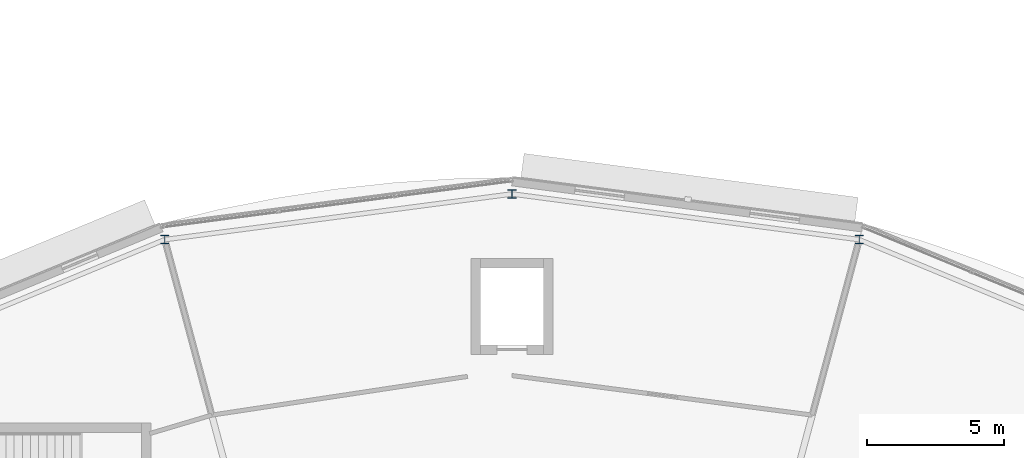
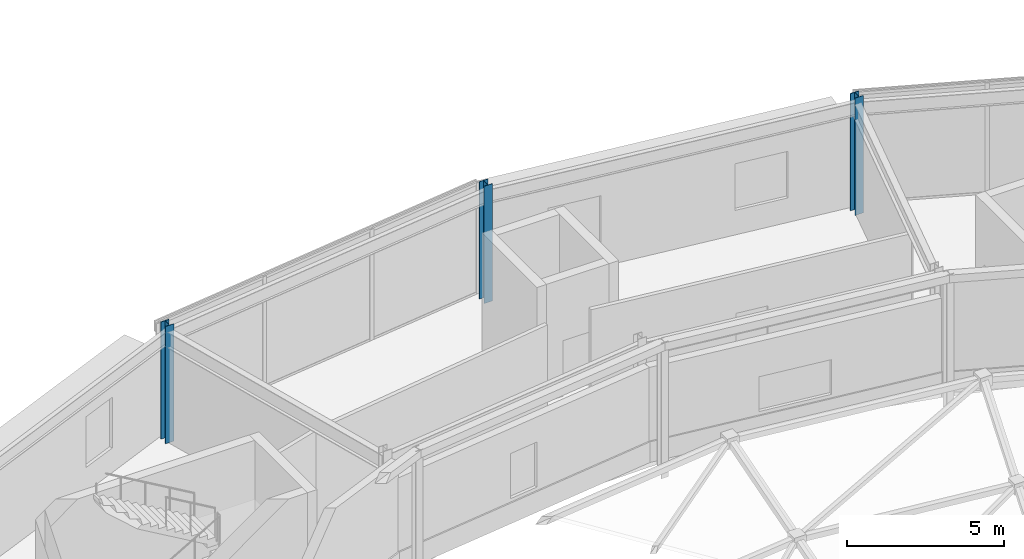
# One storey, part 10 of 89: 3 columns.
"""IFC4 building model written with IfcOpenShell, lengths in metres."""

from ifc_helpers import new_model, si_unit, direction, frame, origin, origin_2d, place, context, subcontext, project, spatial, i_section, extrude, material, material_profile, profile_set, type_object, element, save


model = new_model("IFC4")

# Units and contexts
model_context = context("Model", 3, precision=1e-05, world=origin(), true_north=direction((0.0, 1.0)))
body_context = subcontext(model_context, "Body", "Model", "MODEL_VIEW")
ifc_project = project(units=[si_unit("LENGTHUNIT", "METRE"), si_unit("AREAUNIT", "SQUARE_METRE"), si_unit("VOLUMEUNIT", "CUBIC_METRE"), si_unit("PLANEANGLEUNIT", "RADIAN"), si_unit("MASSUNIT", "GRAM", prefix="KILO")], contexts=[model_context])

# Site, building, storey
site_placement = place(None, origin())
site = spatial("IfcSite", under=ifc_project, at=site_placement, CompositionType="ELEMENT")
building_placement = place(site_placement, origin())
building = spatial("IfcBuilding", under=site, at=building_placement, Name="Almandine Court Research Institute", CompositionType="ELEMENT")
storey_placement = place(building_placement, frame((0.0, 0.0, 18.89990234375)))
storey = spatial("IfcBuildingStorey", under=building, at=storey_placement, Name="L04", CompositionType="ELEMENT", Elevation=18.89990234375)

# Columns
ifc_material = material(Name="Steel ASTM A992 Grade 50", Category="steel")
ifc_material_profile = material_profile(ifc_material, i_section(OverallWidth=0.305908203125, OverallDepth=0.31103515625, WebThickness=0.010986328125, FlangeThickness=0.01708984375, at=origin_2d()), Name="W310x107")
ifc_profile_set = profile_set([ifc_material_profile], Name="Steel ASTM A992 Grade 50")
column_type = type_object("IfcColumnType", Name="Col-C-W08-E", PredefinedType="COLUMN", material=ifc_profile_set)
for number, where, z_axis, x_axis, name in (
    (1, (99.656005859375, 103.23388671875, 0.0), (0.0, 0.0, 1.0), (1.0, 0.0, 0.0), "L04 V5 Column V5-OUT-S05"),
    (2, (87.0, 104.89990234375, 0.0), (0.0, 0.0, 1.0), (1.0, 0.0, 0.0), "L04 V5 Column V5-OUT-S06"),
    (3, (74.343994140625, 103.23388671875, 0.0), (0.0, 0.0, 1.0), (1.0, 0.0, 0.0), "L04 V5 Column V5-OUT-S07"),
):
    element("IfcColumn", number, at=place(storey_placement, frame(where, z_axis=z_axis, x_axis=x_axis)), inside=storey, type_object=column_type, Name=name, PredefinedType="COLUMN", context=body_context, shape_type="SweptSolid", body=[
        extrude(i_section(OverallWidth=0.305908203125, OverallDepth=0.31103515625, WebThickness=0.010986328125, FlangeThickness=0.01708984375, at=origin_2d()), origin(), (0.0, 0.0, 1.0), 4.550048828125),
    ])

save(model, "model.ifc")
